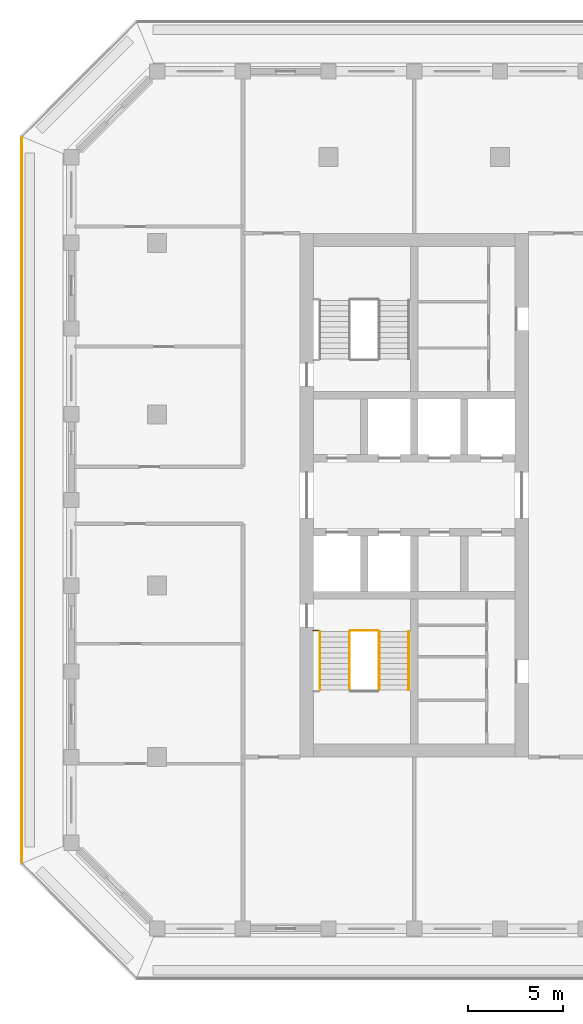
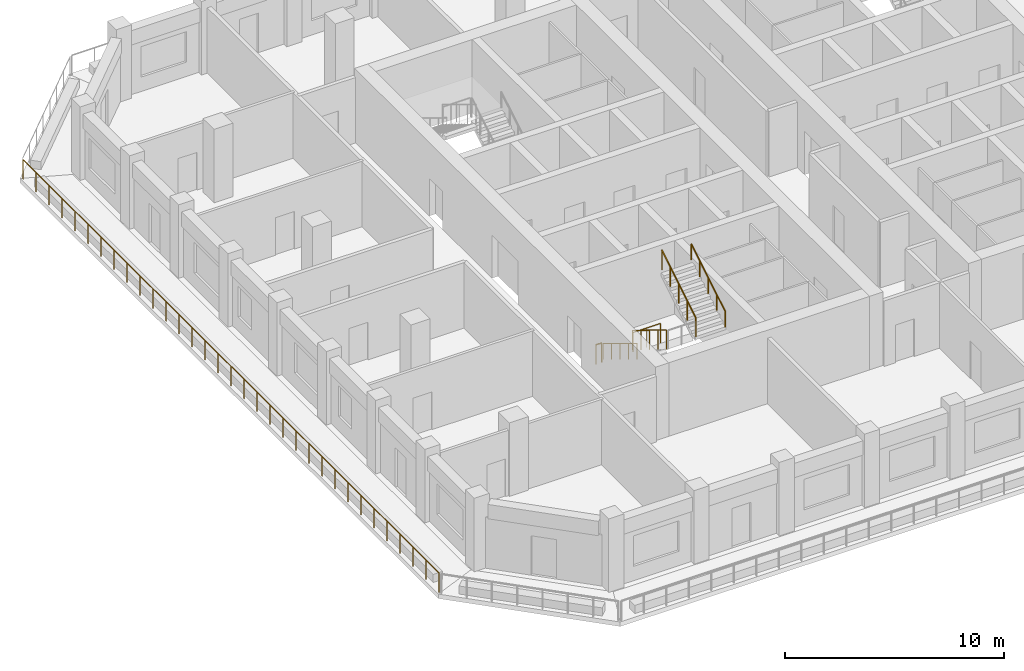
# One storey, part 9 of 14: 7 railings.
"""IFC4 building model written with IfcOpenShell, lengths in metres."""

from ifc_helpers import new_model, si_unit, direction, frame, origin, origin_2d, place, context, subcontext, project, spatial, circle, extrude, material, type_object, element, save


model = new_model("IFC4")

# Units and contexts
model_context = context("Model", 3, precision=1e-05, world=origin(), true_north=direction((0.0, 1.0)))
body_context = subcontext(model_context, "Body", "Model", "MODEL_VIEW")
ifc_project = project(units=[si_unit("LENGTHUNIT", "METRE"), si_unit("AREAUNIT", "SQUARE_METRE"), si_unit("VOLUMEUNIT", "CUBIC_METRE"), si_unit("PLANEANGLEUNIT", "RADIAN"), si_unit("MASSUNIT", "GRAM", prefix="KILO")], contexts=[model_context])

# Site, building, storey
site_placement = place(None, origin())
site = spatial("IfcSite", under=ifc_project, at=site_placement, CompositionType="ELEMENT")
building_placement = place(site_placement, origin())
building = spatial("IfcBuilding", under=site, at=building_placement, Name="Corbel Stack Research Tower", CompositionType="ELEMENT")
storey_placement = place(building_placement, frame((0.0, 0.0, 286.800048828125)))
storey = spatial("IfcBuildingStorey", under=building, at=storey_placement, Name="L65", CompositionType="ELEMENT", Elevation=286.800048828125)

# Railings
ifc_material_1 = material(Name="Steel S355", Category="steel")
railing_type_1 = type_object("IfcRailingType", Name="Stair guard 1100", PredefinedType="GUARDRAIL", material=ifc_material_1)
railing_1_placement = place(storey_placement, frame((-7.89990234375, -2.39990234375, 0.1708984375)))
element("IfcRailing", 1, at=railing_1_placement, inside=storey, type_object=railing_type_1, Name="L65 ST-W1 stair guard 1", PredefinedType="GUARDRAIL", context=body_context, shape_type="SweptSolid", body=[
    extrude(circle(Radius=0.02392578125, at=origin_2d()), frame((0.0, 0.0, 1.076171875), z_axis=(0.0, -0.853666305674, 0.52082035152), x_axis=(1.0, 0.0, 0.0)), (0.0, 0.0, 1.0), 3.608154296875),
    extrude(circle(Radius=0.02099609375, at=origin_2d()), origin(), (0.0, 0.0, 1.0), 1.052001953125),
    extrude(circle(Radius=0.02099609375, at=origin_2d()), frame((0.0, -0.77001953125, 0.4697265625)), (0.0, 0.0, 1.0), 1.052001953125),
    extrude(circle(Radius=0.02099609375, at=origin_2d()), frame((0.0, -1.5400390625, 0.939453125)), (0.0, 0.0, 1.0), 1.052001953125),
    extrude(circle(Radius=0.02099609375, at=origin_2d()), frame((0.0, -2.31005859375, 1.409423828125)), (0.0, 0.0, 1.0), 1.052001953125),
    extrude(circle(Radius=0.02099609375, at=origin_2d()), frame((0.0, -3.080078125, 1.879150390625)), (0.0, 0.0, 1.0), 1.052001953125),
])
railing_2_placement = place(storey_placement, frame((-6.35009765625, -5.47998046875, 2.220703125)))
element("IfcRailing", 2, at=railing_2_placement, inside=storey, type_object=railing_type_1, Name="L65 ST-W1 stair guard 4", PredefinedType="GUARDRAIL", context=body_context, shape_type="SweptSolid", body=[
    extrude(circle(Radius=0.02392578125, at=origin_2d()), frame((0.0, 0.0, 1.076171875), z_axis=(0.0, 0.853666305674, 0.52082035152), x_axis=(-1.0, 0.0, 0.0)), (0.0, 0.0, 1.0), 3.608154296875),
    extrude(circle(Radius=0.02099609375, at=origin_2d()), origin(), (0.0, 0.0, 1.0), 1.052001953125),
    extrude(circle(Radius=0.02099609375, at=origin_2d()), frame((0.0, 0.77001953125, 0.4697265625)), (0.0, 0.0, 1.0), 1.052001953125),
    extrude(circle(Radius=0.02099609375, at=origin_2d()), frame((0.0, 1.5400390625, 0.939453125)), (0.0, 0.0, 1.0), 1.052001953125),
    extrude(circle(Radius=0.02099609375, at=origin_2d()), frame((0.0, 2.31005859375, 1.409423828125)), (0.0, 0.0, 1.0), 1.052001953125),
    extrude(circle(Radius=0.02099609375, at=origin_2d()), frame((0.0, 3.080078125, 1.879150390625)), (0.0, 0.0, 1.0), 1.052001953125),
])
railing_3_placement = place(storey_placement, frame((-7.85009765625, -2.35009765625, 0.0)))
element("IfcRailing", 3, at=railing_3_placement, inside=storey, type_object=railing_type_1, Name="L65 ST-W1 stair guard 5", PredefinedType="GUARDRAIL", context=body_context, shape_type="SweptSolid", body=[
    extrude(circle(Radius=0.02392578125, at=origin_2d()), frame((0.0, 0.0, 1.076171875), z_axis=(1.0, 0.0, 0.0), x_axis=(0.0, 1.0, 0.0)), (0.0, 0.0, 1.0), 1.4501953125),
    extrude(circle(Radius=0.02099609375, at=origin_2d()), origin(), (0.0, 0.0, 1.0), 1.052001953125),
    extrude(circle(Radius=0.02099609375, at=origin_2d()), frame((0.72509765625, 0.0, 0.0)), (0.0, 0.0, 1.0), 1.052001953125),
    extrude(circle(Radius=0.02099609375, at=origin_2d()), frame((1.4501953125, 0.0, 0.0)), (0.0, 0.0, 1.0), 1.052001953125),
])
railing_4_placement = place(storey_placement, frame((-9.800048828125, -2.35009765625, 0.0)))
element("IfcRailing", 4, at=railing_4_placement, inside=storey, type_object=railing_type_1, Name="L65 ST-W1 stair guard 6", PredefinedType="GUARDRAIL", context=body_context, shape_type="SweptSolid", body=[
    extrude(circle(Radius=0.02392578125, at=origin_2d()), frame((0.0, 0.0, 1.076171875), z_axis=(1.0, 0.0, 0.0), x_axis=(0.0, 1.0, 0.0)), (0.0, 0.0, 1.0), 0.300048828125),
    extrude(circle(Radius=0.02099609375, at=origin_2d()), origin(), (0.0, 0.0, 1.0), 1.052001953125),
    extrude(circle(Radius=0.02099609375, at=origin_2d()), frame((0.300048828125, 0.0, 0.0)), (0.0, 0.0, 1.0), 1.052001953125),
])
ifc_material_2 = material(Name="Steel S355", Category="steel")
railing_type_2 = type_object("IfcRailingType", Name="Stair handrail 900", PredefinedType="HANDRAIL", material=ifc_material_2)
railing_5_placement = place(storey_placement, frame((-9.449951171875, -2.39990234375, 0.1708984375)))
element("IfcRailing", 5, at=railing_5_placement, inside=storey, type_object=railing_type_2, Name="L65 ST-W1 stair handrail 1", PredefinedType="HANDRAIL", context=body_context, shape_type="SweptSolid", body=[
    extrude(circle(Radius=0.02392578125, at=origin_2d()), frame((0.0, 0.0, 0.8759765625), z_axis=(0.0, -0.853666305674, 0.52082035152), x_axis=(1.0, 0.0, 0.0)), (0.0, 0.0, 1.0), 3.608154296875),
    extrude(circle(Radius=0.02099609375, at=origin_2d()), origin(), (0.0, 0.0, 1.0), 0.851806640625),
    extrude(circle(Radius=0.02099609375, at=origin_2d()), frame((0.0, -0.77001953125, 0.4697265625)), (0.0, 0.0, 1.0), 0.851806640625),
    extrude(circle(Radius=0.02099609375, at=origin_2d()), frame((0.0, -1.5400390625, 0.939453125)), (0.0, 0.0, 1.0), 0.851806640625),
    extrude(circle(Radius=0.02099609375, at=origin_2d()), frame((0.0, -2.31005859375, 1.409423828125)), (0.0, 0.0, 1.0), 0.851806640625),
    extrude(circle(Radius=0.02099609375, at=origin_2d()), frame((0.0, -3.080078125, 1.879150390625)), (0.0, 0.0, 1.0), 0.851806640625),
])
railing_6_placement = place(storey_placement, frame((-4.800048828125, -5.47998046875, 2.220703125)))
element("IfcRailing", 6, at=railing_6_placement, inside=storey, type_object=railing_type_2, Name="L65 ST-W1 stair handrail 2", PredefinedType="HANDRAIL", context=body_context, shape_type="SweptSolid", body=[
    extrude(circle(Radius=0.02392578125, at=origin_2d()), frame((0.0, 0.0, 0.8759765625), z_axis=(0.0, 0.853666305674, 0.52082035152), x_axis=(-1.0, 0.0, 0.0)), (0.0, 0.0, 1.0), 3.608154296875),
    extrude(circle(Radius=0.02099609375, at=origin_2d()), origin(), (0.0, 0.0, 1.0), 0.851806640625),
    extrude(circle(Radius=0.02099609375, at=origin_2d()), frame((0.0, 0.77001953125, 0.4697265625)), (0.0, 0.0, 1.0), 0.851806640625),
    extrude(circle(Radius=0.02099609375, at=origin_2d()), frame((0.0, 1.5400390625, 0.939453125)), (0.0, 0.0, 1.0), 0.851806640625),
    extrude(circle(Radius=0.02099609375, at=origin_2d()), frame((0.0, 2.31005859375, 1.409423828125)), (0.0, 0.0, 1.0), 0.851806640625),
    extrude(circle(Radius=0.02099609375, at=origin_2d()), frame((0.0, 3.080078125, 1.879150390625)), (0.0, 0.0, 1.0), 0.851806640625),
])
ifc_material_3 = material(Name="Powder-coated steel guard", Category="steel")
railing_type_3 = type_object("IfcRailingType", Name="Steel and glass guard 1100", PredefinedType="GUARDRAIL", material=ifc_material_3)
railing_7_placement = place(storey_placement, frame((-25.10009765625, 23.50537109375, 0.0)))
element("IfcRailing", 7, at=railing_7_placement, inside=storey, type_object=railing_type_3, Name="Loggia guard L65 W", PredefinedType="GUARDRAIL", context=body_context, shape_type="SweptSolid", body=[
    extrude(circle(Radius=0.02392578125, at=origin_2d()), frame((0.0, 0.0, 1.076171875), z_axis=(0.0, -1.0, 0.0), x_axis=(1.0, 0.0, 0.0)), (0.0, 0.0, 1.0), 38.0107421875),
    extrude(circle(Radius=0.02099609375, at=origin_2d()), origin(), (0.0, 0.0, 1.0), 1.052001953125),
    extrude(circle(Radius=0.02099609375, at=origin_2d()), frame((0.0, -1.187744140625, 0.0)), (0.0, 0.0, 1.0), 1.052001953125),
    extrude(circle(Radius=0.02099609375, at=origin_2d()), frame((0.0, -2.375732421875, 0.0)), (0.0, 0.0, 1.0), 1.052001953125),
    extrude(circle(Radius=0.02099609375, at=origin_2d()), frame((0.0, -3.5634765625, 0.0)), (0.0, 0.0, 1.0), 1.052001953125),
    extrude(circle(Radius=0.02099609375, at=origin_2d()), frame((0.0, -4.75146484375, 0.0)), (0.0, 0.0, 1.0), 1.052001953125),
    extrude(circle(Radius=0.02099609375, at=origin_2d()), frame((0.0, -5.939208984375, 0.0)), (0.0, 0.0, 1.0), 1.052001953125),
    extrude(circle(Radius=0.02099609375, at=origin_2d()), frame((0.0, -7.126953125, 0.0)), (0.0, 0.0, 1.0), 1.052001953125),
    extrude(circle(Radius=0.02099609375, at=origin_2d()), frame((0.0, -8.31494140625, 0.0)), (0.0, 0.0, 1.0), 1.052001953125),
    extrude(circle(Radius=0.02099609375, at=origin_2d()), frame((0.0, -9.502685546875, 0.0)), (0.0, 0.0, 1.0), 1.052001953125),
    extrude(circle(Radius=0.02099609375, at=origin_2d()), frame((0.0, -10.6904296875, 0.0)), (0.0, 0.0, 1.0), 1.052001953125),
    extrude(circle(Radius=0.02099609375, at=origin_2d()), frame((0.0, -11.87841796875, 0.0)), (0.0, 0.0, 1.0), 1.052001953125),
    extrude(circle(Radius=0.02099609375, at=origin_2d()), frame((0.0, -13.066162109375, 0.0)), (0.0, 0.0, 1.0), 1.052001953125),
    extrude(circle(Radius=0.02099609375, at=origin_2d()), frame((0.0, -14.25390625, 0.0)), (0.0, 0.0, 1.0), 1.052001953125),
    extrude(circle(Radius=0.02099609375, at=origin_2d()), frame((0.0, -15.44189453125, 0.0)), (0.0, 0.0, 1.0), 1.052001953125),
    extrude(circle(Radius=0.02099609375, at=origin_2d()), frame((0.0, -16.629638671875, 0.0)), (0.0, 0.0, 1.0), 1.052001953125),
    extrude(circle(Radius=0.02099609375, at=origin_2d()), frame((0.0, -17.817626953125, 0.0)), (0.0, 0.0, 1.0), 1.052001953125),
    extrude(circle(Radius=0.02099609375, at=origin_2d()), frame((0.0, -19.00537109375, 0.0)), (0.0, 0.0, 1.0), 1.052001953125),
    extrude(circle(Radius=0.02099609375, at=origin_2d()), frame((0.0, -20.193115234375, 0.0)), (0.0, 0.0, 1.0), 1.052001953125),
    extrude(circle(Radius=0.02099609375, at=origin_2d()), frame((0.0, -21.381103515625, 0.0)), (0.0, 0.0, 1.0), 1.052001953125),
    extrude(circle(Radius=0.02099609375, at=origin_2d()), frame((0.0, -22.56884765625, 0.0)), (0.0, 0.0, 1.0), 1.052001953125),
    extrude(circle(Radius=0.02099609375, at=origin_2d()), frame((0.0, -23.7568359375, 0.0)), (0.0, 0.0, 1.0), 1.052001953125),
    extrude(circle(Radius=0.02099609375, at=origin_2d()), frame((0.0, -24.944580078125, 0.0)), (0.0, 0.0, 1.0), 1.052001953125),
    extrude(circle(Radius=0.02099609375, at=origin_2d()), frame((0.0, -26.13232421875, 0.0)), (0.0, 0.0, 1.0), 1.052001953125),
    extrude(circle(Radius=0.02099609375, at=origin_2d()), frame((0.0, -27.3203125, 0.0)), (0.0, 0.0, 1.0), 1.052001953125),
    extrude(circle(Radius=0.02099609375, at=origin_2d()), frame((0.0, -28.508056640625, 0.0)), (0.0, 0.0, 1.0), 1.052001953125),
    extrude(circle(Radius=0.02099609375, at=origin_2d()), frame((0.0, -29.69580078125, 0.0)), (0.0, 0.0, 1.0), 1.052001953125),
    extrude(circle(Radius=0.02099609375, at=origin_2d()), frame((0.0, -30.8837890625, 0.0)), (0.0, 0.0, 1.0), 1.052001953125),
    extrude(circle(Radius=0.02099609375, at=origin_2d()), frame((0.0, -32.071533203125, 0.0)), (0.0, 0.0, 1.0), 1.052001953125),
    extrude(circle(Radius=0.02099609375, at=origin_2d()), frame((0.0, -33.25927734375, 0.0)), (0.0, 0.0, 1.0), 1.052001953125),
    extrude(circle(Radius=0.02099609375, at=origin_2d()), frame((0.0, -34.447265625, 0.0)), (0.0, 0.0, 1.0), 1.052001953125),
    extrude(circle(Radius=0.02099609375, at=origin_2d()), frame((0.0, -35.635009765625, 0.0)), (0.0, 0.0, 1.0), 1.052001953125),
    extrude(circle(Radius=0.02099609375, at=origin_2d()), frame((0.0, -36.822998046875, 0.0)), (0.0, 0.0, 1.0), 1.052001953125),
    extrude(circle(Radius=0.02099609375, at=origin_2d()), frame((0.0, -38.0107421875, 0.0)), (0.0, 0.0, 1.0), 1.052001953125),
])

save(model, "model.ifc")
